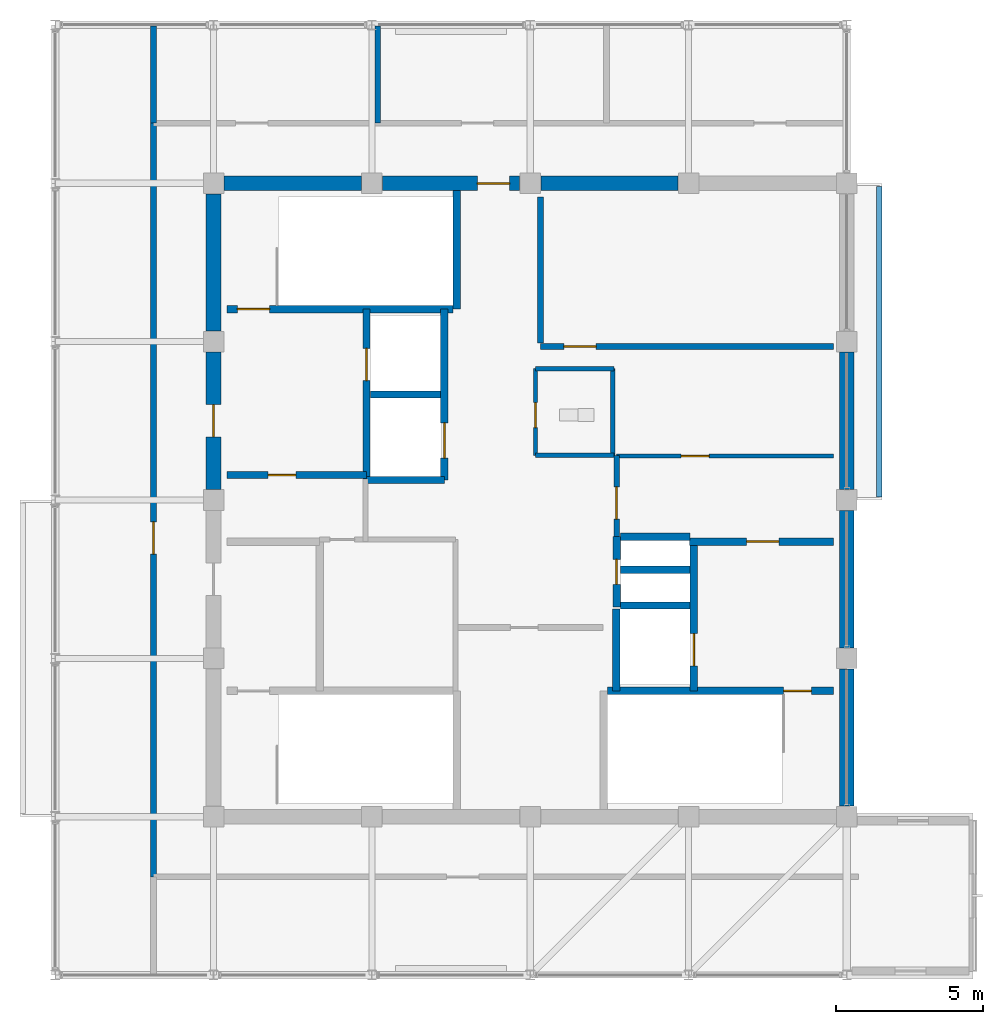
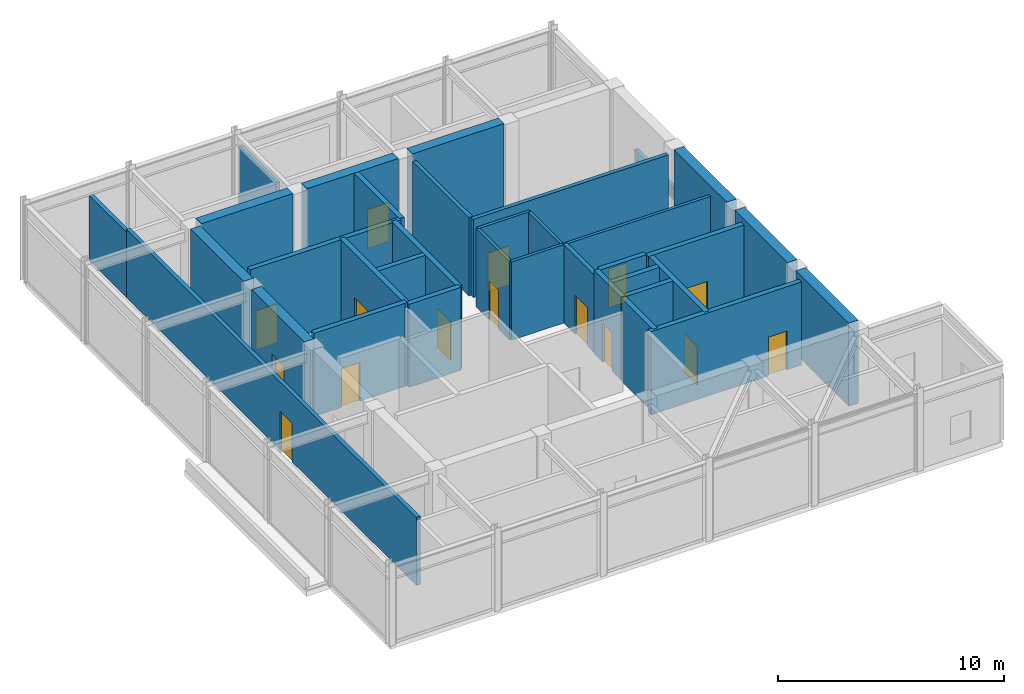
# One storey, part 15 of 18: 35 walls, 15 doors, 15 openings.
"""IFC4 building model written with IfcOpenShell, lengths in metres."""

from ifc_helpers import new_model, si_unit, direction, frame, frame_2d, origin, place, context, subcontext, project, spatial, rectangle, extrude, material, layer, layer_set, type_object, element, fill, save


model = new_model("IFC4")

# Units and contexts
model_context = context("Model", 3, precision=1e-05, world=origin(), true_north=direction((0.0, 1.0)))
body_context = subcontext(model_context, "Body", "Model", "MODEL_VIEW")
ifc_project = project(units=[si_unit("LENGTHUNIT", "METRE"), si_unit("AREAUNIT", "SQUARE_METRE"), si_unit("VOLUMEUNIT", "CUBIC_METRE"), si_unit("PLANEANGLEUNIT", "RADIAN"), si_unit("MASSUNIT", "GRAM", prefix="KILO")], contexts=[model_context])

# Site, building, storey
site_placement = place(None, origin())
site = spatial("IfcSite", under=ifc_project, at=site_placement, CompositionType="ELEMENT")
building_placement = place(site_placement, origin())
building = spatial("IfcBuilding", under=site, at=building_placement, Name="Surkhivell Harbour Commons", CompositionType="ELEMENT")
storey_placement = place(building_placement, frame((0.0, 0.0, 360.0)))
storey = spatial("IfcBuildingStorey", under=building, at=storey_placement, Name="L93", CompositionType="ELEMENT", Elevation=360.0)

# Walls
ifc_material_1 = material(Name="Concrete C50/60", Category="concrete")
ifc_layer_1 = layer(ifc_material_1, 0.5)
ifc_layer_set_1 = layer_set([ifc_layer_1], Name="Concrete C50/60")
wall_type_1 = type_object("IfcWallType", Name="WAL-CORE-500", PredefinedType="SHEAR", material=ifc_layer_set_1)
for number, where, z_axis, x_axis, name in (
    (1, (-10.43994140625, 10.800048828125, 0.0), (0.0, 0.0, 1.0), (1.0, 0.0, 0.0), "L93 Core Shear Wall North 1"),
    (2, (10.800048828125, -10.43994140625, 0.0), (0.0, 0.0, 1.0), (0.0, 1.0, 0.0), "L93 Core Shear Wall East 1"),
):
    element("IfcWall", number, at=place(storey_placement, frame(where, z_axis=z_axis, x_axis=x_axis)), inside=storey, type_object=wall_type_1, Name=name, PredefinedType="SHEAR", context=body_context, shape_type="SweptSolid", body=[
        extrude(rectangle(XDim=4.679931640625, YDim=0.5, at=frame_2d((2.33984375, 0.0))), origin(), (0.0, 0.0, 1.0), 4.5),
    ])

# Wall, opening, door
wall_1_placement = place(storey_placement, frame((-5.0400390625, 10.800048828125, 0.0), z_axis=(0.0, 0.0, 1.0), x_axis=(1.0, 0.0, 0.0)))
wall_1 = element("IfcWall", 3, at=wall_1_placement, inside=storey, type_object=wall_type_1, Name="L93 Core Shear Wall North 2", PredefinedType="SHEAR", context=body_context, shape_type="SweptSolid", body=[
    extrude(rectangle(XDim=4.679931640625, YDim=0.5, at=frame_2d((2.33984375, 0.0))), origin(), (0.0, 0.0, 1.0), 4.5),
])
opening_1_placement = place(wall_1_placement, frame((3.239990234375, 0.0, 0.0)))
opening_1 = element("IfcOpeningElement", 4, at=opening_1_placement, cuts=wall_1, Name="Opening ID-2", PredefinedType="OPENING", context=body_context, shape_type="SweptSolid", body=[
    extrude(rectangle(XDim=1.10009765625, YDim=2.10009765625, at=frame_2d((0.550048828125, 1.050048828125))), frame((0.0, 0.260009765625, 0.0), z_axis=(0.0, -1.0, 0.0), x_axis=(1.0, 0.0, 0.0)), (0.0, 0.0, 1.0), 0.52001953125),
])
ifc_material_2 = material(Name="Hardwood-veneered fire-rated door leaf", Category="wood")
door_type_1 = type_object("IfcDoorType", Name="DOR-FD60-1100", OperationType="NOTDEFINED", PredefinedType="DOOR", material=ifc_material_2)
door_1_placement = place(opening_1_placement, origin())
door_1 = element("IfcDoor", 5, at=door_1_placement, inside=storey, type_object=door_type_1, Name="L93 Central Core Lift Hall North Corridor Door", OperationType="SINGLE_SWING_LEFT", OverallHeight=2.10009765625, OverallWidth=1.10009765625, PredefinedType="DOOR", context=body_context, shape_type="SweptSolid", body=[
    extrude(rectangle(XDim=1.10009765625, YDim=2.10009765625, at=frame_2d((0.550048828125, 1.050048828125))), frame((0.0, 0.02490234375, 0.0), z_axis=(0.0, -1.0, 0.0), x_axis=(1.0, 0.0, 0.0)), (0.0, 0.0, 1.0), 0.050048828125),
])
fill(opening_1, door_1)

# Walls
for number, where, z_axis, x_axis, name in (
    (6, (10.800048828125, -5.0400390625, 0.0), (0.0, 0.0, 1.0), (0.0, 1.0, 0.0), "L93 Core Shear Wall East 2"),
    (7, (0.360107421875, 10.800048828125, 0.0), (0.0, 0.0, 1.0), (1.0, 0.0, 0.0), "L93 Core Shear Wall North 3"),
):
    element("IfcWall", number, at=place(storey_placement, frame(where, z_axis=z_axis, x_axis=x_axis)), inside=storey, type_object=wall_type_1, Name=name, PredefinedType="SHEAR", context=body_context, shape_type="SweptSolid", body=[
        extrude(rectangle(XDim=4.679931640625, YDim=0.5, at=frame_2d((2.33984375, 0.0))), origin(), (0.0, 0.0, 1.0), 4.5),
    ])

# Wall, opening, door
wall_2_placement = place(storey_placement, frame((-10.800048828125, 0.360107421875, 0.0), z_axis=(0.0, 0.0, 1.0), x_axis=(0.0, 1.0, 0.0)))
wall_2 = element("IfcWall", 8, at=wall_2_placement, inside=storey, type_object=wall_type_1, Name="L93 Core Shear Wall West 3", PredefinedType="SHEAR", context=body_context, shape_type="SweptSolid", body=[
    extrude(rectangle(XDim=4.679931640625, YDim=0.5, at=frame_2d((2.33984375, 0.0))), origin(), (0.0, 0.0, 1.0), 4.5),
])
opening_2_placement = place(wall_2_placement, frame((1.7900390625, 0.0, 0.0)))
opening_2 = element("IfcOpeningElement", 9, at=opening_2_placement, cuts=wall_2, Name="Opening ID-1", PredefinedType="OPENING", context=body_context, shape_type="SweptSolid", body=[
    extrude(rectangle(XDim=1.10009765625, YDim=2.10009765625, at=frame_2d((0.550048828125, 1.050048828125))), frame((0.0, 0.260009765625, 0.0), z_axis=(0.0, -1.0, 0.0), x_axis=(1.0, 0.0, 0.0)), (0.0, 0.0, 1.0), 0.52001953125),
])
door_type_2 = type_object("IfcDoorType", Name="DOR-FD120-1100", OperationType="NOTDEFINED", PredefinedType="DOOR", material=ifc_material_2)
door_2_placement = place(opening_2_placement, origin())
door_2 = element("IfcDoor", 10, at=door_2_placement, inside=storey, type_object=door_type_2, Name="L93 Firefighting Lobby 1 Corridor Door", OperationType="SINGLE_SWING_LEFT", OverallHeight=2.10009765625, OverallWidth=1.10009765625, PredefinedType="DOOR", context=body_context, shape_type="SweptSolid", body=[
    extrude(rectangle(XDim=1.10009765625, YDim=2.10009765625, at=frame_2d((0.550048828125, 1.050048828125))), frame((0.0, 0.02490234375, 0.0), z_axis=(0.0, -1.0, 0.0), x_axis=(1.0, 0.0, 0.0)), (0.0, 0.0, 1.0), 0.050048828125),
])
fill(opening_2, door_2)

# Walls
for number, where, z_axis, x_axis, name in (
    (11, (10.800048828125, 0.360107421875, 0.0), (0.0, 0.0, 1.0), (0.0, 1.0, 0.0), "L93 Core Shear Wall East 3"),
    (12, (-10.800048828125, 5.760009765625, 0.0), (0.0, 0.0, 1.0), (0.0, 1.0, 0.0), "L93 Core Shear Wall West 4"),
):
    element("IfcWall", number, at=place(storey_placement, frame(where, z_axis=z_axis, x_axis=x_axis)), inside=storey, type_object=wall_type_1, Name=name, PredefinedType="SHEAR", context=body_context, shape_type="SweptSolid", body=[
        extrude(rectangle(XDim=4.679931640625, YDim=0.5, at=frame_2d((2.33984375, 0.0))), origin(), (0.0, 0.0, 1.0), 4.5),
    ])
ifc_material_3 = material(Name="Twin-stud acoustic fireboard partition", Category="other")
ifc_layer_2 = layer(ifc_material_3, 0.14990234375)
ifc_layer_set_2 = layer_set([ifc_layer_2], Name="Twin-stud acoustic fireboard partition")
wall_type_2 = type_object("IfcWallType", Name="WAL-INT-150", PredefinedType="PARTITIONING", material=ifc_layer_set_2)
wall_3_placement = place(storey_placement, frame((2.820068359375, 1.52001953125, 0.0), z_axis=(0.0, 0.0, 1.0), x_axis=(0.0, 1.0, 0.0)))
element("IfcWall", 13, at=wall_3_placement, inside=storey, type_object=wall_type_2, Name="L93 Core Accessible WC East Wall", PredefinedType="PARTITIONING", context=body_context, shape_type="SweptSolid", body=[
    extrude(rectangle(XDim=2.9599609375, YDim=0.14990234375, at=frame_2d((1.47998046875, 0.0))), origin(), (0.0, 0.0, 1.0), 4.239990234375),
])
for number, where, z_axis, x_axis, name in (
    (14, (0.179931640625, 4.47998046875, 0.0), (0.0, 0.0, 1.0), (1.0, 0.0, 0.0), "L93 Core Accessible WC North Wall"),
    (15, (0.179931640625, 1.52001953125, 0.0), (0.0, 0.0, 1.0), (1.0, 0.0, 0.0), "L93 Core Accessible WC South Wall"),
):
    element("IfcWall", number, at=place(storey_placement, frame(where, z_axis=z_axis, x_axis=x_axis)), inside=storey, type_object=wall_type_2, Name=name, PredefinedType="PARTITIONING", context=body_context, shape_type="SweptSolid", body=[
        extrude(rectangle(XDim=2.670166015625, YDim=0.14990234375, at=frame_2d((1.3349609375, 0.0))), origin(), (0.0, 0.0, 1.0), 4.239990234375),
    ])

# Wall, opening, door
wall_4_placement = place(storey_placement, frame((0.179931640625, 1.52001953125, 0.0), z_axis=(0.0, 0.0, 1.0), x_axis=(0.0, 1.0, 0.0)))
wall_4 = element("IfcWall", 16, at=wall_4_placement, inside=storey, type_object=wall_type_2, Name="L93 Core Accessible WC West Wall", PredefinedType="PARTITIONING", context=body_context, shape_type="SweptSolid", body=[
    extrude(rectangle(XDim=2.9599609375, YDim=0.14990234375, at=frame_2d((1.47998046875, 0.0))), origin(), (0.0, 0.0, 1.0), 4.239990234375),
])
opening_3_placement = place(wall_4_placement, frame((0.949951171875, 0.0, 0.0)))
opening_3 = element("IfcOpeningElement", 17, at=opening_3_placement, cuts=wall_4, Name="Opening ID-6", PredefinedType="OPENING", context=body_context, shape_type="SweptSolid", body=[
    extrude(rectangle(XDim=0.85009765625, YDim=2.10009765625, at=frame_2d((0.425048828125, 1.050048828125))), frame((0.0, 0.0849609375, 0.0), z_axis=(0.0, -1.0, 0.0), x_axis=(1.0, 0.0, 0.0)), (0.0, 0.0, 1.0), 0.169921875),
])
door_type_3 = type_object("IfcDoorType", Name="DOR-FD30-850", OperationType="NOTDEFINED", PredefinedType="DOOR", material=ifc_material_2)
door_3_placement = place(opening_3_placement, origin())
door_3 = element("IfcDoor", 18, at=door_3_placement, inside=storey, type_object=door_type_3, Name="L93 Floor Accessible WC Door", OperationType="SINGLE_SWING_RIGHT", OverallHeight=2.10009765625, OverallWidth=0.85009765625, PredefinedType="DOOR", context=body_context, shape_type="SweptSolid", body=[
    extrude(rectangle(XDim=0.85009765625, YDim=2.10009765625, at=frame_2d((0.425048828125, 1.050048828125))), frame((0.0, 0.02490234375, 0.0), z_axis=(0.0, -1.0, 0.0), x_axis=(1.0, 0.0, 0.0)), (0.0, 0.0, 1.0), 0.050048828125),
])
fill(opening_3, door_3)

wall_5_placement = place(storey_placement, frame((2.949951171875, 1.5, 0.0), z_axis=(0.0, 0.0, 1.0), x_axis=(1.0, 0.0, 0.0)))
wall_5 = element("IfcWall", 19, at=wall_5_placement, inside=storey, type_object=wall_type_2, Name="L93 Crown East Core Corridor Wall", PredefinedType="PARTITIONING", context=body_context, shape_type="SweptSolid", body=[
    extrude(rectangle(XDim=7.39013671875, YDim=0.14990234375, at=frame_2d((3.695068359375, 0.0))), origin(), (0.0, 0.0, 1.0), 4.239990234375),
])
opening_4_placement = place(wall_5_placement, frame((2.199951171875, 0.0, 0.0)))
opening_4 = element("IfcOpeningElement", 20, at=opening_4_placement, cuts=wall_5, Name="Opening ID-4", PredefinedType="OPENING", context=body_context, shape_type="SweptSolid", body=[
    extrude(rectangle(XDim=0.949951171875, YDim=2.10009765625, at=frame_2d((0.47509765625, 1.050048828125))), frame((0.0, 0.0849609375, 0.0), z_axis=(0.0, -1.0, 0.0), x_axis=(1.0, 0.0, 0.0)), (0.0, 0.0, 1.0), 0.169921875),
])
door_type_4 = type_object("IfcDoorType", Name="DOR-FD60-950", OperationType="NOTDEFINED", PredefinedType="DOOR", material=ifc_material_2)
door_4_placement = place(opening_4_placement, origin())
door_4 = element("IfcDoor", 21, at=door_4_placement, inside=storey, type_object=door_type_4, Name="L93 Crown East Room Door", OperationType="SINGLE_SWING_RIGHT", OverallHeight=2.10009765625, OverallWidth=0.949951171875, PredefinedType="DOOR", context=body_context, shape_type="SweptSolid", body=[
    extrude(rectangle(XDim=0.949951171875, YDim=2.10009765625, at=frame_2d((0.47509765625, 1.050048828125))), frame((0.0, 0.02490234375, 0.0), z_axis=(0.0, -1.0, 0.0), x_axis=(1.0, 0.0, 0.0)), (0.0, 0.0, 1.0), 0.050048828125),
])
fill(opening_4, door_4)

ifc_material_4 = material(Name="Autoclaved aerated concrete blockwork and fire plaster", Category="masonry")
ifc_layer_3 = layer(ifc_material_4, 0.199951171875)
ifc_layer_set_3 = layer_set([ifc_layer_3], Name="Autoclaved aerated concrete blockwork and fire plaster")
wall_type_3 = type_object("IfcWallType", Name="WAL-INT-200", PredefinedType="PARTITIONING", material=ifc_layer_set_3)
wall_6_placement = place(storey_placement, frame((0.35009765625, 5.239990234375, 0.0), z_axis=(0.0, 0.0, 1.0), x_axis=(1.0, 0.0, 0.0)))
wall_6 = element("IfcWall", 22, at=wall_6_placement, inside=storey, type_object=wall_type_3, Name="L93 Reclaimed Core North Bay South Wall", PredefinedType="PARTITIONING", context=body_context, shape_type="SweptSolid", body=[
    extrude(rectangle(XDim=9.989990234375, YDim=0.199951171875, at=frame_2d((4.9951171875, 0.0))), origin(), (0.0, 0.0, 1.0), 4.239990234375),
])
opening_5_placement = place(wall_6_placement, frame((0.800048828125, 0.0, 0.0)))
opening_5 = element("IfcOpeningElement", 23, at=opening_5_placement, cuts=wall_6, Name="Opening ID-2", PredefinedType="OPENING", context=body_context, shape_type="SweptSolid", body=[
    extrude(rectangle(XDim=1.10009765625, YDim=2.10009765625, at=frame_2d((0.550048828125, 1.050048828125))), frame((0.0, 0.10986328125, 0.0), z_axis=(0.0, -1.0, 0.0), x_axis=(1.0, 0.0, 0.0)), (0.0, 0.0, 1.0), 0.219970703125),
])
door_5_placement = place(opening_5_placement, origin())
door_5 = element("IfcDoor", 24, at=door_5_placement, inside=storey, type_object=door_type_1, Name="L93 Core Fan Room Door", OperationType="SINGLE_SWING_LEFT", OverallHeight=2.10009765625, OverallWidth=1.10009765625, PredefinedType="DOOR", context=body_context, shape_type="SweptSolid", body=[
    extrude(rectangle(XDim=1.10009765625, YDim=2.10009765625, at=frame_2d((0.550048828125, 1.050048828125))), frame((0.0, 0.02490234375, 0.0), z_axis=(0.0, -1.0, 0.0), x_axis=(1.0, 0.0, 0.0)), (0.0, 0.0, 1.0), 0.050048828125),
])
fill(opening_5, door_5)

# Walls
wall_7_placement = place(storey_placement, frame((0.35009765625, 5.360107421875, 0.0), z_axis=(0.0, 0.0, 1.0), x_axis=(0.0, 1.0, 0.0)))
element("IfcWall", 25, at=wall_7_placement, inside=storey, type_object=wall_type_3, Name="L93 Reclaimed Core North Bay West Wall", PredefinedType="PARTITIONING", context=body_context, shape_type="SweptSolid", body=[
    extrude(rectangle(XDim=4.97998046875, YDim=0.199951171875, at=frame_2d((2.489990234375, 0.0))), origin(), (0.0, 0.0, 1.0), 4.239990234375),
])
wall_8_placement = place(storey_placement, frame((-5.199951171875, 12.85009765625, 0.0), z_axis=(0.0, 0.0, 1.0), x_axis=(0.0, 1.0, 0.0)))
element("IfcWall", 26, at=wall_8_placement, inside=storey, type_object=wall_type_3, Name="L93 Cooling Bay Wall 1", PredefinedType="PARTITIONING", context=body_context, shape_type="SweptSolid", body=[
    extrude(rectangle(XDim=3.309814453125, YDim=0.199951171875, at=frame_2d((1.65478515625, 0.0))), origin(), (0.0, 0.0, 1.0), 3.527099609375),
])

# Wall, opening, door
wall_9_placement = place(storey_placement, frame((2.949951171875, -1.25, 0.0), z_axis=(0.0, 0.0, 1.0), x_axis=(0.0, 1.0, 0.0)))
wall_9 = element("IfcWall", 27, at=wall_9_placement, inside=storey, type_object=wall_type_3, Name="L93 Reclaimed East Core West Wall", PredefinedType="PARTITIONING", context=body_context, shape_type="SweptSolid", body=[
    extrude(rectangle(XDim=2.77001953125, YDim=0.199951171875, at=frame_2d((1.385009765625, 0.0))), origin(), (0.0, 0.0, 1.0), 4.239990234375),
])
opening_6_placement = place(wall_9_placement, frame((0.60009765625, 0.0, 0.0)))
opening_6 = element("IfcOpeningElement", 28, at=opening_6_placement, cuts=wall_9, Name="Opening ID-2", PredefinedType="OPENING", context=body_context, shape_type="SweptSolid", body=[
    extrude(rectangle(XDim=1.10009765625, YDim=2.10009765625, at=frame_2d((0.550048828125, 1.050048828125))), frame((0.0, 0.10986328125, 0.0), z_axis=(0.0, -1.0, 0.0), x_axis=(1.0, 0.0, 0.0)), (0.0, 0.0, 1.0), 0.219970703125),
])
door_6_placement = place(opening_6_placement, origin())
door_6 = element("IfcDoor", 29, at=door_6_placement, inside=storey, type_object=door_type_1, Name="L93 Crown East Escape Door", OperationType="SINGLE_SWING_LEFT", OverallHeight=2.10009765625, OverallWidth=1.10009765625, PredefinedType="DOOR", context=body_context, shape_type="SweptSolid", body=[
    extrude(rectangle(XDim=1.10009765625, YDim=2.10009765625, at=frame_2d((0.550048828125, 1.050048828125))), frame((0.0, 0.02490234375, 0.0), z_axis=(0.0, -1.0, 0.0), x_axis=(1.0, 0.0, 0.0)), (0.0, 0.0, 1.0), 0.050048828125),
])
fill(opening_6, door_6)

# Wall
wall_10_placement = place(storey_placement, frame((-12.85009765625, 12.85009765625, 0.0), z_axis=(0.0, 0.0, 1.0), x_axis=(0.0, 1.0, 0.0)))
element("IfcWall", 30, at=wall_10_placement, inside=storey, type_object=wall_type_3, Name="L93 Crown NW Corner Wall", PredefinedType="PARTITIONING", context=body_context, shape_type="SweptSolid", body=[
    extrude(rectangle(XDim=3.309814453125, YDim=0.199951171875, at=frame_2d((1.65478515625, 0.0))), origin(), (0.0, 0.0, 1.0), 3.527099609375),
])

# Wall, opening, door
wall_11_placement = place(storey_placement, frame((-12.85009765625, -12.85009765625, 0.0), z_axis=(0.0, 0.0, 1.0), x_axis=(0.0, 1.0, 0.0)))
wall_11 = element("IfcWall", 31, at=wall_11_placement, inside=storey, type_object=wall_type_3, Name="L93 Crown Corridor West Wall", PredefinedType="PARTITIONING", context=body_context, shape_type="SweptSolid", body=[
    extrude(rectangle(XDim=25.7001953125, YDim=0.199951171875, at=frame_2d((12.85009765625, 0.0))), origin(), (0.0, 0.0, 1.0), 3.68310546875),
])
opening_7_placement = place(wall_11_placement, frame((11.0, 0.0, 0.0)))
opening_7 = element("IfcOpeningElement", 32, at=opening_7_placement, cuts=wall_11, Name="Opening ID-2", PredefinedType="OPENING", context=body_context, shape_type="SweptSolid", body=[
    extrude(rectangle(XDim=1.10009765625, YDim=2.10009765625, at=frame_2d((0.550048828125, 1.050048828125))), frame((0.0, 0.10986328125, 0.0), z_axis=(0.0, -1.0, 0.0), x_axis=(1.0, 0.0, 0.0)), (0.0, 0.0, 1.0), 0.219970703125),
])
door_7_placement = place(opening_7_placement, origin())
door_7 = element("IfcDoor", 33, at=door_7_placement, inside=storey, type_object=door_type_1, Name="L93 L93 Make-Up Water Tank Hall Door", OperationType="SINGLE_SWING_LEFT", OverallHeight=2.10009765625, OverallWidth=1.10009765625, PredefinedType="DOOR", context=body_context, shape_type="SweptSolid", body=[
    extrude(rectangle(XDim=1.10009765625, YDim=2.10009765625, at=frame_2d((0.550048828125, 1.050048828125))), frame((0.0, 0.02490234375, 0.0), z_axis=(0.0, -1.0, 0.0), x_axis=(1.0, 0.0, 0.0)), (0.0, 0.0, 1.0), 0.050048828125),
])
fill(opening_7, door_7)

# Wall
ifc_material_5 = material(Name="Anodised aluminium and precast concrete C40/50", Category="concrete")
ifc_layer_4 = layer(ifc_material_5, 0.18505859375)
ifc_layer_set_4 = layer_set([ifc_layer_4], Name="Anodised aluminium and precast concrete C40/50")
wall_type_4 = type_object("IfcWallType", Name="WAL-PAR-185", PredefinedType="PARAPET", material=ifc_layer_set_4)
wall_12_placement = place(storey_placement, frame((11.89990234375, 0.10009765625, 0.0), z_axis=(0.0, 0.0, 1.0), x_axis=(0.0, 1.0, 0.0)))
element("IfcWall", 34, at=wall_12_placement, inside=storey, type_object=wall_type_4, Name="L93 Box Roof Coping Parapet 1-1", PredefinedType="PARAPET", context=body_context, shape_type="SweptSolid", body=[
    extrude(rectangle(XDim=10.599853515625, YDim=0.18505859375, at=frame_2d((5.2998046875, 0.0))), origin(), (0.0, 0.0, 1.0), 0.64990234375),
])

# Wall, opening, door
ifc_layer_5 = layer(ifc_material_1, 0.25)
ifc_layer_set_5 = layer_set([ifc_layer_5], Name="Concrete C50/60")
wall_type_5 = type_object("IfcWallType", Name="WAL-SHAFT-250", PredefinedType="SHEAR", material=ifc_layer_set_5)
wall_13_placement = place(storey_placement, frame((-5.580078125, 0.719970703125, 0.0), z_axis=(0.0, 0.0, 1.0), x_axis=(0.0, 1.0, 0.0)))
wall_13 = element("IfcWall", 35, at=wall_13_placement, inside=storey, type_object=wall_type_5, Name="L93 Firefighting Lobby 1 East Shaft Wall", PredefinedType="SHEAR", context=body_context, shape_type="SweptSolid", body=[
    extrude(rectangle(XDim=5.7900390625, YDim=0.25, at=frame_2d((2.89501953125, 0.0))), origin(), (0.0, 0.0, 1.0), 4.5),
])
opening_8_placement = place(wall_13_placement, frame((3.35009765625, 0.0, 0.0)))
opening_8 = element("IfcOpeningElement", 36, at=opening_8_placement, cuts=wall_13, Name="Opening LD-1", PredefinedType="OPENING", context=body_context, shape_type="SweptSolid", body=[
    extrude(rectangle(XDim=1.10009765625, YDim=2.10009765625, at=frame_2d((0.550048828125, 1.050048828125))), frame((0.0, 0.135009765625, 0.0), z_axis=(0.0, -1.0, 0.0), x_axis=(1.0, 0.0, 0.0)), (0.0, 0.0, 1.0), 0.27001953125),
])
ifc_material_6 = material(Name="Brushed stainless steel S355", Category="steel")
door_type_5 = type_object("IfcDoorType", Name="DOR-LD-1100", OperationType="SLIDING_TO_LEFT", PredefinedType="DOOR", material=ifc_material_6)
door_8_placement = place(opening_8_placement, origin())
door_8 = element("IfcDoor", 37, at=door_8_placement, inside=storey, type_object=door_type_5, Name="L93 Lift Landing Door LD-FFL1", OperationType="SLIDING_TO_LEFT", OverallHeight=2.10009765625, OverallWidth=1.10009765625, PredefinedType="DOOR", context=body_context, shape_type="SweptSolid", body=[
    extrude(rectangle(XDim=1.10009765625, YDim=2.10009765625, at=frame_2d((0.550048828125, 1.050048828125))), frame((0.0, 0.02490234375, 0.0), z_axis=(0.0, -1.0, 0.0), x_axis=(1.0, 0.0, 0.0)), (0.0, 0.0, 1.0), 0.050048828125),
])
fill(opening_8, door_8)

wall_14_placement = place(storey_placement, frame((-10.340087890625, 0.85009765625, 0.0), z_axis=(0.0, 0.0, 1.0), x_axis=(1.0, 0.0, 0.0)))
wall_14 = element("IfcWall", 38, at=wall_14_placement, inside=storey, type_object=wall_type_5, Name="L93 Firefighting Lobby 1 South Wall", PredefinedType="SHEAR", context=body_context, shape_type="SweptSolid", body=[
    extrude(rectangle(XDim=4.760009765625, YDim=0.25, at=frame_2d((2.3798828125, 0.0))), origin(), (0.0, 0.0, 1.0), 4.5),
])
opening_9_placement = place(wall_14_placement, frame((1.39990234375, 0.0, 0.0)))
opening_9 = element("IfcOpeningElement", 39, at=opening_9_placement, cuts=wall_14, Name="Opening ID-4", PredefinedType="OPENING", context=body_context, shape_type="SweptSolid", body=[
    extrude(rectangle(XDim=0.949951171875, YDim=2.10009765625, at=frame_2d((0.47509765625, 1.050048828125))), frame((0.0, 0.135009765625, 0.0), z_axis=(0.0, -1.0, 0.0), x_axis=(1.0, 0.0, 0.0)), (0.0, 0.0, 1.0), 0.27001953125),
])
door_9_placement = place(opening_9_placement, origin())
door_9 = element("IfcDoor", 40, at=door_9_placement, inside=storey, type_object=door_type_4, Name="L93 Core BMS Room Door", OperationType="SINGLE_SWING_RIGHT", OverallHeight=2.10009765625, OverallWidth=0.949951171875, PredefinedType="DOOR", context=body_context, shape_type="SweptSolid", body=[
    extrude(rectangle(XDim=0.949951171875, YDim=2.10009765625, at=frame_2d((0.47509765625, 1.050048828125))), frame((0.0, 0.02490234375, 0.0), z_axis=(0.0, -1.0, 0.0), x_axis=(1.0, 0.0, 0.0)), (0.0, 0.0, 1.0), 0.050048828125),
])
fill(opening_9, door_9)

# Wall
wall_15_placement = place(storey_placement, frame((2.929931640625, -6.510009765625, 0.0), z_axis=(0.0, 0.0, 1.0), x_axis=(0.0, 1.0, 0.0)))
element("IfcWall", 41, at=wall_15_placement, inside=storey, type_object=wall_type_5, Name="L93 FFL2 West Shaft Wall", PredefinedType="SHEAR", context=body_context, shape_type="SweptSolid", body=[
    extrude(rectangle(XDim=2.7900390625, YDim=0.25, at=frame_2d((1.39501953125, 0.0))), origin(), (0.0, 0.0, 1.0), 4.5),
])

# Wall, opening, door
wall_16_placement = place(storey_placement, frame((5.43994140625, -1.419921875, 0.0), z_axis=(0.0, 0.0, 1.0), x_axis=(1.0, 0.0, 0.0)))
wall_16 = element("IfcWall", 42, at=wall_16_placement, inside=storey, type_object=wall_type_5, Name="L93 Firefighting Lobby 2 North Wall", PredefinedType="SHEAR", context=body_context, shape_type="SweptSolid", body=[
    extrude(rectangle(XDim=4.900146484375, YDim=0.25, at=frame_2d((2.4501953125, 0.0))), origin(), (0.0, 0.0, 1.0), 4.5),
])
opening_10_placement = place(wall_16_placement, frame((1.93994140625, 0.0, 0.0)))
opening_10 = element("IfcOpeningElement", 43, at=opening_10_placement, cuts=wall_16, Name="Opening ID-1", PredefinedType="OPENING", context=body_context, shape_type="SweptSolid", body=[
    extrude(rectangle(XDim=1.10009765625, YDim=2.10009765625, at=frame_2d((0.550048828125, 1.050048828125))), frame((0.0, 0.135009765625, 0.0), z_axis=(0.0, -1.0, 0.0), x_axis=(1.0, 0.0, 0.0)), (0.0, 0.0, 1.0), 0.27001953125),
])
door_10_placement = place(opening_10_placement, origin())
door_10 = element("IfcDoor", 44, at=door_10_placement, inside=storey, type_object=door_type_2, Name="L93 Firefighting Lobby 2 Inner Door", OperationType="SINGLE_SWING_LEFT", OverallHeight=2.10009765625, OverallWidth=1.10009765625, PredefinedType="DOOR", context=body_context, shape_type="SweptSolid", body=[
    extrude(rectangle(XDim=1.10009765625, YDim=2.10009765625, at=frame_2d((0.550048828125, 1.050048828125))), frame((0.0, 0.02490234375, 0.0), z_axis=(0.0, -1.0, 0.0), x_axis=(1.0, 0.0, 0.0)), (0.0, 0.0, 1.0), 0.050048828125),
])
fill(opening_10, door_10)

# Wall
wall_17_placement = place(storey_placement, frame((3.080078125, -3.60009765625, 0.0), z_axis=(0.0, 0.0, 1.0), x_axis=(1.0, 0.0, 0.0)))
element("IfcWall", 45, at=wall_17_placement, inside=storey, type_object=wall_type_5, Name="L93 FFL2 North Shaft Wall", PredefinedType="SHEAR", context=body_context, shape_type="SweptSolid", body=[
    extrude(rectangle(XDim=2.369873046875, YDim=0.25, at=frame_2d((1.18505859375, 0.0))), origin(), (0.0, 0.0, 1.0), 4.5),
])

# Wall, opening, door
wall_18_placement = place(storey_placement, frame((5.580078125, -6.510009765625, 0.0), z_axis=(0.0, 0.0, 1.0), x_axis=(0.0, 1.0, 0.0)))
wall_18 = element("IfcWall", 46, at=wall_18_placement, inside=storey, type_object=wall_type_5, Name="L93 Firefighting Lobby 2 West Shaft Wall", PredefinedType="SHEAR", context=body_context, shape_type="SweptSolid", body=[
    extrude(rectangle(XDim=5.090087890625, YDim=0.25, at=frame_2d((2.544921875, 0.0))), origin(), (0.0, 0.0, 1.0), 4.5),
])
opening_11_placement = place(wall_18_placement, frame((0.85009765625, 0.0, 0.0)))
opening_11 = element("IfcOpeningElement", 47, at=opening_11_placement, cuts=wall_18, Name="Opening LD-1", PredefinedType="OPENING", context=body_context, shape_type="SweptSolid", body=[
    extrude(rectangle(XDim=1.10009765625, YDim=2.10009765625, at=frame_2d((0.550048828125, 1.050048828125))), frame((0.0, 0.135009765625, 0.0), z_axis=(0.0, -1.0, 0.0), x_axis=(1.0, 0.0, 0.0)), (0.0, 0.0, 1.0), 0.27001953125),
])
door_11_placement = place(opening_11_placement, origin())
door_11 = element("IfcDoor", 48, at=door_11_placement, inside=storey, type_object=door_type_5, Name="L93 Lift Landing Door LD-FFL2", OperationType="SLIDING_TO_RIGHT", OverallHeight=2.10009765625, OverallWidth=1.10009765625, PredefinedType="DOOR", context=body_context, shape_type="SweptSolid", body=[
    extrude(rectangle(XDim=1.10009765625, YDim=2.10009765625, at=frame_2d((0.550048828125, 1.050048828125))), frame((0.0, 0.02490234375, 0.0), z_axis=(0.0, -1.0, 0.0), x_axis=(1.0, 0.0, 0.0)), (0.0, 0.0, 1.0), 0.050048828125),
])
fill(opening_11, door_11)

# Walls
for number, where, z_axis, x_axis, name in (
    (49, (3.080078125, -2.3798828125, 0.0), (0.0, 0.0, 1.0), (1.0, 0.0, 0.0), "L93 Riser Divider Wall"),
    (50, (3.080078125, -1.25, 0.0), (0.0, 0.0, 1.0), (1.0, 0.0, 0.0), "L93 Riser North Wall"),
):
    element("IfcWall", number, at=place(storey_placement, frame(where, z_axis=z_axis, x_axis=x_axis)), inside=storey, type_object=wall_type_5, Name=name, PredefinedType="SHEAR", context=body_context, shape_type="SweptSolid", body=[
        extrude(rectangle(XDim=2.369873046875, YDim=0.25, at=frame_2d((1.18505859375, 0.0))), origin(), (0.0, 0.0, 1.0), 4.5),
    ])

# Wall, opening, door
wall_19_placement = place(storey_placement, frame((2.949951171875, -3.64990234375, 0.0), z_axis=(0.0, 0.0, 1.0), x_axis=(0.0, 1.0, 0.0)))
wall_19 = element("IfcWall", 51, at=wall_19_placement, inside=storey, type_object=wall_type_5, Name="L93 Riser Shaft West Wall", PredefinedType="SHEAR", context=body_context, shape_type="SweptSolid", body=[
    extrude(rectangle(XDim=2.39990234375, YDim=0.25, at=frame_2d((1.199951171875, 0.0))), origin(), (0.0, 0.0, 1.0), 4.5),
])
opening_12_placement = place(wall_19_placement, frame((0.77490234375, 0.0, 0.0)))
opening_12 = element("IfcOpeningElement", 52, at=opening_12_placement, cuts=wall_19, Name="Opening ID-6", PredefinedType="OPENING", context=body_context, shape_type="SweptSolid", body=[
    extrude(rectangle(XDim=0.85009765625, YDim=2.10009765625, at=frame_2d((0.425048828125, 1.050048828125))), frame((0.0, 0.135009765625, 0.0), z_axis=(0.0, -1.0, 0.0), x_axis=(1.0, 0.0, 0.0)), (0.0, 0.0, 1.0), 0.27001953125),
])
door_12_placement = place(opening_12_placement, origin())
door_12 = element("IfcDoor", 53, at=door_12_placement, inside=storey, type_object=door_type_3, Name="L93 Electrical Riser Access Door", OperationType="SINGLE_SWING_LEFT", OverallHeight=2.10009765625, OverallWidth=0.85009765625, PredefinedType="DOOR", context=body_context, shape_type="SweptSolid", body=[
    extrude(rectangle(XDim=0.85009765625, YDim=2.10009765625, at=frame_2d((0.425048828125, 1.050048828125))), frame((0.0, 0.02490234375, 0.0), z_axis=(0.0, -1.0, 0.0), x_axis=(1.0, 0.0, 0.0)), (0.0, 0.0, 1.0), 0.050048828125),
])
fill(opening_12, door_12)

# Wall
wall_20_placement = place(storey_placement, frame((-2.510009765625, 6.510009765625, 0.0), z_axis=(0.0, 0.0, 1.0), x_axis=(0.0, 1.0, 0.0)))
element("IfcWall", 54, at=wall_20_placement, inside=storey, type_object=wall_type_5, Name="L93 Stair ST1 East Shear Wall", PredefinedType="SHEAR", context=body_context, shape_type="SweptSolid", body=[
    extrude(rectangle(XDim=4.0400390625, YDim=0.25, at=frame_2d((2.02001953125, 0.0))), origin(), (0.0, 0.0, 1.0), 4.5),
])

# Wall, opening, door
wall_21_placement = place(storey_placement, frame((-10.340087890625, 6.510009765625, 0.0), z_axis=(0.0, 0.0, 1.0), x_axis=(1.0, 0.0, 0.0)))
wall_21 = element("IfcWall", 55, at=wall_21_placement, inside=storey, type_object=wall_type_5, Name="L93 Stair ST1 South Shear Wall", PredefinedType="SHEAR", context=body_context, shape_type="SweptSolid", body=[
    extrude(rectangle(XDim=7.7001953125, YDim=0.25, at=frame_2d((3.85009765625, 0.0))), origin(), (0.0, 0.0, 1.0), 4.5),
])
opening_13_placement = place(wall_21_placement, frame((0.35009765625, 0.0, 0.0)))
opening_13 = element("IfcOpeningElement", 56, at=opening_13_placement, cuts=wall_21, Name="Opening ID-2", PredefinedType="OPENING", context=body_context, shape_type="SweptSolid", body=[
    extrude(rectangle(XDim=1.10009765625, YDim=2.10009765625, at=frame_2d((0.550048828125, 1.050048828125))), frame((0.0, 0.135009765625, 0.0), z_axis=(0.0, -1.0, 0.0), x_axis=(1.0, 0.0, 0.0)), (0.0, 0.0, 1.0), 0.27001953125),
])
door_13_placement = place(opening_13_placement, origin())
door_13 = element("IfcDoor", 57, at=door_13_placement, inside=storey, type_object=door_type_1, Name="L93 Stair ST1 Exit Door", OperationType="SINGLE_SWING_LEFT", OverallHeight=2.10009765625, OverallWidth=1.10009765625, PredefinedType="DOOR", context=body_context, shape_type="SweptSolid", body=[
    extrude(rectangle(XDim=1.10009765625, YDim=2.10009765625, at=frame_2d((0.550048828125, 1.050048828125))), frame((0.0, 0.02490234375, 0.0), z_axis=(0.0, -1.0, 0.0), x_axis=(1.0, 0.0, 0.0)), (0.0, 0.0, 1.0), 0.050048828125),
])
fill(opening_13, door_13)

wall_22_placement = place(storey_placement, frame((2.639892578125, -6.510009765625, 0.0), z_axis=(0.0, 0.0, 1.0), x_axis=(1.0, 0.0, 0.0)))
wall_22 = element("IfcWall", 58, at=wall_22_placement, inside=storey, type_object=wall_type_5, Name="L93 Stair ST2 North Shear Wall", PredefinedType="SHEAR", context=body_context, shape_type="SweptSolid", body=[
    extrude(rectangle(XDim=7.7001953125, YDim=0.25, at=frame_2d((3.85009765625, 0.0))), origin(), (0.0, 0.0, 1.0), 4.5),
])
opening_14_placement = place(wall_22_placement, frame((6.0, 0.0, 0.0)))
opening_14 = element("IfcOpeningElement", 59, at=opening_14_placement, cuts=wall_22, Name="Opening ID-4", PredefinedType="OPENING", context=body_context, shape_type="SweptSolid", body=[
    extrude(rectangle(XDim=0.949951171875, YDim=2.10009765625, at=frame_2d((0.47509765625, 1.050048828125))), frame((0.0, 0.135009765625, 0.0), z_axis=(0.0, -1.0, 0.0), x_axis=(1.0, 0.0, 0.0)), (0.0, 0.0, 1.0), 0.27001953125),
])
door_14_placement = place(opening_14_placement, origin())
door_14 = element("IfcDoor", 60, at=door_14_placement, inside=storey, type_object=door_type_4, Name="L93 Stair ST2 Exit Door", OperationType="SINGLE_SWING_RIGHT", OverallHeight=2.10009765625, OverallWidth=0.949951171875, PredefinedType="DOOR", context=body_context, shape_type="SweptSolid", body=[
    extrude(rectangle(XDim=0.949951171875, YDim=2.10009765625, at=frame_2d((0.47509765625, 1.050048828125))), frame((0.0, 0.02490234375, 0.0), z_axis=(0.0, -1.0, 0.0), x_axis=(1.0, 0.0, 0.0)), (0.0, 0.0, 1.0), 0.050048828125),
])
fill(opening_14, door_14)

wall_23_placement = place(storey_placement, frame((-2.929931640625, 0.679931640625, 0.0), z_axis=(0.0, 0.0, 1.0), x_axis=(0.0, 1.0, 0.0)))
wall_23 = element("IfcWall", 61, at=wall_23_placement, inside=storey, type_object=wall_type_5, Name="L93 Service and Fire Lift East Shaft Wall", PredefinedType="SHEAR", context=body_context, shape_type="SweptSolid", body=[
    extrude(rectangle(XDim=5.830078125, YDim=0.25, at=frame_2d((2.9150390625, 0.0))), origin(), (0.0, 0.0, 1.0), 4.5),
])
opening_15_placement = place(wall_23_placement, frame((0.75, 0.0, 0.0)))
opening_15 = element("IfcOpeningElement", 62, at=opening_15_placement, cuts=wall_23, Name="Opening LD-2", PredefinedType="OPENING", context=body_context, shape_type="SweptSolid", body=[
    extrude(rectangle(XDim=1.199951171875, YDim=2.10009765625, at=frame_2d((0.60009765625, 1.050048828125))), frame((0.0, 0.135009765625, 0.0), z_axis=(0.0, -1.0, 0.0), x_axis=(1.0, 0.0, 0.0)), (0.0, 0.0, 1.0), 0.27001953125),
])
door_type_6 = type_object("IfcDoorType", Name="DOR-LD-1200", OperationType="SLIDING_TO_LEFT", PredefinedType="DOOR", material=ifc_material_6)
door_15_placement = place(opening_15_placement, origin())
door_15 = element("IfcDoor", 63, at=door_15_placement, inside=storey, type_object=door_type_6, Name="L93 Lift Landing Door LD-SVL1", OperationType="SLIDING_TO_LEFT", OverallHeight=2.10009765625, OverallWidth=1.199951171875, PredefinedType="DOOR", context=body_context, shape_type="SweptSolid", body=[
    extrude(rectangle(XDim=1.199951171875, YDim=2.10009765625, at=frame_2d((0.60009765625, 1.050048828125))), frame((0.0, 0.02490234375, 0.0), z_axis=(0.0, -1.0, 0.0), x_axis=(1.0, 0.0, 0.0)), (0.0, 0.0, 1.0), 0.050048828125),
])
fill(opening_15, door_15)

# Walls
wall_24_placement = place(storey_placement, frame((-5.449951171875, 3.60009765625, 0.0), z_axis=(0.0, 0.0, 1.0), x_axis=(1.0, 0.0, 0.0)))
element("IfcWall", 64, at=wall_24_placement, inside=storey, type_object=wall_type_5, Name="L93 FFL1/SVL1 Shaft Divider", PredefinedType="SHEAR", context=body_context, shape_type="SweptSolid", body=[
    extrude(rectangle(XDim=2.389892578125, YDim=0.25, at=frame_2d((1.19482421875, 0.0))), origin(), (0.0, 0.0, 1.0), 4.5),
])
wall_25_placement = place(storey_placement, frame((-5.580078125, 0.679931640625, 0.0), z_axis=(0.0, 0.0, 1.0), x_axis=(1.0, 0.0, 0.0)))
element("IfcWall", 65, at=wall_25_placement, inside=storey, type_object=wall_type_5, Name="L93 SVL1 South Shaft Wall", PredefinedType="SHEAR", context=body_context, shape_type="SweptSolid", body=[
    extrude(rectangle(XDim=2.650146484375, YDim=0.25, at=frame_2d((1.3251953125, 0.0))), origin(), (0.0, 0.0, 1.0), 4.5),
])

save(model, "model.ifc")
